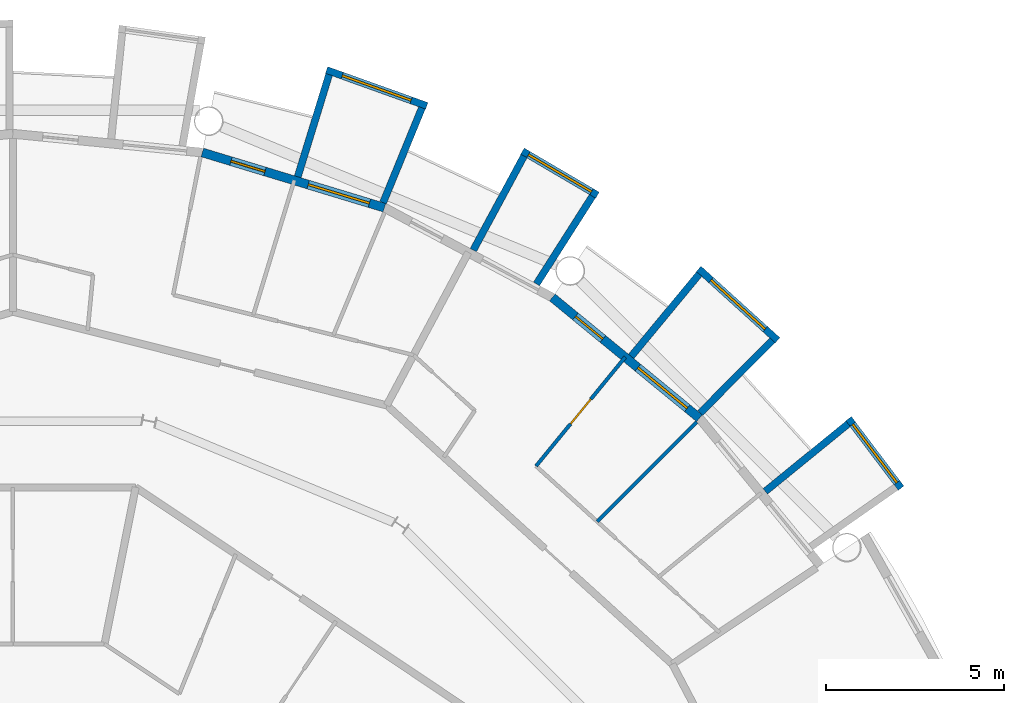
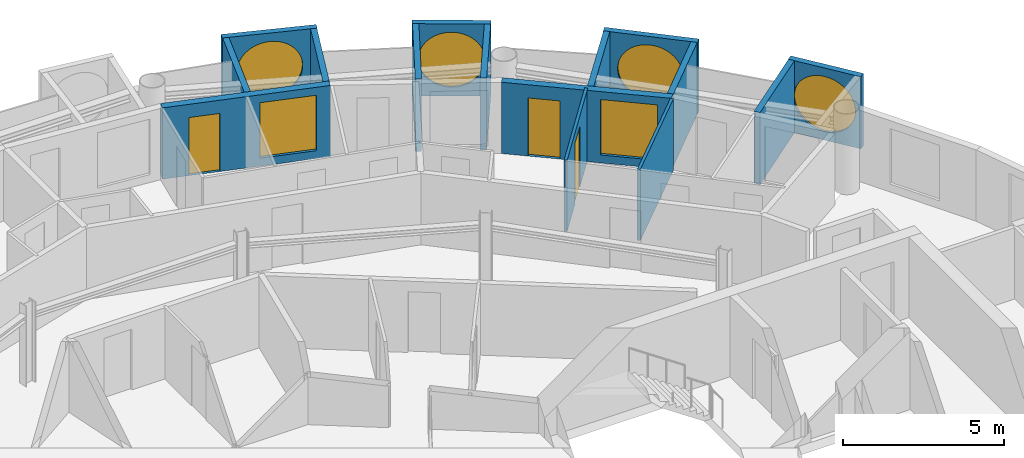
# One storey, part 24 of 27: 15 walls, 6 windows, 3 doors, 9 openings.
"""IFC4 building model written with IfcOpenShell, lengths in metres."""

from ifc_helpers import new_model, si_unit, direction, frame, frame_2d, origin, place, context, subcontext, project, spatial, rectangle, circle, extrude, material, layer, layer_set, type_object, element, fill, save


model = new_model("IFC4")

# Units and contexts
model_context = context("Model", 3, precision=1e-05, world=origin(), true_north=direction((0.0, 1.0)))
body_context = subcontext(model_context, "Body", "Model", "MODEL_VIEW")
ifc_project = project(units=[si_unit("LENGTHUNIT", "METRE"), si_unit("AREAUNIT", "SQUARE_METRE"), si_unit("VOLUMEUNIT", "CUBIC_METRE"), si_unit("PLANEANGLEUNIT", "RADIAN"), si_unit("MASSUNIT", "GRAM", prefix="KILO")], contexts=[model_context])

# Site, building, storey
site_placement = place(None, origin())
site = spatial("IfcSite", under=ifc_project, at=site_placement, CompositionType="ELEMENT")
building_placement = place(site_placement, origin())
building = spatial("IfcBuilding", under=site, at=building_placement, Name="Maasbend Ring Residences", CompositionType="ELEMENT")
storey_placement = place(building_placement, frame((0.0, 0.0, 199.35009765625)))
storey = spatial("IfcBuildingStorey", under=building, at=storey_placement, Name="L57", CompositionType="ELEMENT", Elevation=199.35009765625)

# Wall, opening, window
ifc_material_1 = material(Name="Pale anodised aluminium panel", Category="aluminium")
ifc_layer_1 = layer(ifc_material_1, 0.199951171875)
ifc_layer_set_1 = layer_set([ifc_layer_1], Name="EW-BOX")
wall_type_1 = type_object("IfcWallType", Name="EW-BOX", PredefinedType="SOLIDWALL", material=ifc_layer_set_1)
wall_1_placement = place(storey_placement, frame((24.971923828125, 17.3369140625, -0.030029296875), z_axis=(0.0, 0.0, 1.0), x_axis=(-0.602806268067, 0.797887588059, 0.0)))
wall_1 = element("IfcWall", 1, at=wall_1_placement, inside=storey, type_object=wall_type_1, Name="Box front N01", PredefinedType="SOLIDWALL", context=body_context, shape_type="SweptSolid", body=[
    extrude(rectangle(XDim=2.446533203125, YDim=0.199951171875, at=frame_2d((1.22314453125, 0.0))), origin(), (0.0, 0.0, 1.0), 2.72998046875),
])
opening_1_placement = place(wall_1_placement, frame((0.182861328125, 0.0, 0.330078125)))
opening_1 = element("IfcOpeningElement", 2, at=opening_1_placement, cuts=wall_1, Name="Opening W-RD", PredefinedType="OPENING", context=body_context, shape_type="SweptSolid", body=[
    extrude(circle(Radius=1.0400390625, at=frame_2d((1.0400390625, 1.0400390625))), frame((0.0, 0.10986328125, 0.0), z_axis=(0.0, -1.0, 0.0), x_axis=(1.0, 0.0, 0.0)), (0.0, 0.0, 1.0), 0.219970703125),
])
ifc_material_2 = material(Name="Aluminium and clear glass", Category="aluminium")
window_type_1 = type_object("IfcWindowType", Name="W-RD", PartitioningType="SINGLE_PANEL", PredefinedType="WINDOW", material=ifc_material_2)
window_1_placement = place(opening_1_placement, origin())
window_1 = element("IfcWindow", 3, at=window_1_placement, inside=storey, type_object=window_type_1, Name="Round window N01", OverallHeight=2.080078125, OverallWidth=2.080078125, PartitioningType="SINGLE_PANEL", PredefinedType="WINDOW", context=body_context, shape_type="SweptSolid", body=[
    extrude(circle(Radius=1.0400390625, at=frame_2d((1.0400390625, 1.0400390625))), frame((0.0, 0.030029296875, 0.0), z_axis=(0.0, -1.0, 0.0), x_axis=(1.0, 0.0, 0.0)), (0.0, 0.0, 1.0), 0.06005859375),
])
fill(opening_1, window_1)

# Wall
wall_2_placement = place(storey_placement, frame((21.155029296875, 17.24609375, -0.030029296875), z_axis=(0.0, 0.0, 1.0), x_axis=(0.775179004516, 0.631741648902, 0.0)))
element("IfcWall", 4, at=wall_2_placement, inside=storey, type_object=wall_type_1, Name="Box side wall N01 right", PredefinedType="SOLIDWALL", context=body_context, shape_type="SweptSolid", body=[
    extrude(rectangle(XDim=3.005859375, YDim=0.199951171875, at=frame_2d((1.5029296875, 0.0))), origin(), (0.0, 0.0, 1.0), 2.72998046875),
])

# Wall, opening, window
wall_3_placement = place(storey_placement, frame((21.5, 21.492919921875, -0.030029296875), z_axis=(0.0, 0.0, 1.0), x_axis=(-0.740998365753, 0.671506829416, 0.0)))
wall_3 = element("IfcWall", 5, at=wall_3_placement, inside=storey, type_object=wall_type_1, Name="Box front N03", PredefinedType="SOLIDWALL", context=body_context, shape_type="SweptSolid", body=[
    extrude(rectangle(XDim=2.9931640625, YDim=0.199951171875, at=frame_2d((1.49658203125, 0.0))), origin(), (0.0, 0.0, 1.0), 2.72998046875),
])
opening_2_placement = place(wall_3_placement, frame((0.45654296875, 0.0, 0.330078125)))
opening_2 = element("IfcOpeningElement", 6, at=opening_2_placement, cuts=wall_3, Name="Opening W-RD", PredefinedType="OPENING", context=body_context, shape_type="SweptSolid", body=[
    extrude(circle(Radius=1.0400390625, at=frame_2d((1.0400390625, 1.0400390625))), frame((0.0, 0.10986328125, 0.0), z_axis=(0.0, -1.0, 0.0), x_axis=(1.0, 0.0, 0.0)), (0.0, 0.0, 1.0), 0.219970703125),
])
window_2_placement = place(opening_2_placement, origin())
window_2 = element("IfcWindow", 7, at=window_2_placement, inside=storey, type_object=window_type_1, Name="Round window N03", OverallHeight=2.080078125, OverallWidth=2.080078125, PartitioningType="SINGLE_PANEL", PredefinedType="WINDOW", context=body_context, shape_type="SweptSolid", body=[
    extrude(circle(Radius=1.0400390625, at=frame_2d((1.0400390625, 1.0400390625))), frame((0.0, 0.030029296875, 0.0), z_axis=(0.0, -1.0, 0.0), x_axis=(1.0, 0.0, 0.0)), (0.0, 0.0, 1.0), 0.06005859375),
])
fill(opening_2, window_2)

# Walls
wall_4_placement = place(storey_placement, frame((19.322998046875, 19.449951171875, -0.030029296875), z_axis=(0.0, 0.0, 1.0), x_axis=(0.704476739375, 0.709727076896, 0.0)))
element("IfcWall", 8, at=wall_4_placement, inside=storey, type_object=wall_type_1, Name="Box side wall N03 left", PredefinedType="SOLIDWALL", context=body_context, shape_type="SweptSolid", body=[
    extrude(rectangle(XDim=2.883056640625, YDim=0.199951171875, at=frame_2d((1.44140625, 0.0))), origin(), (0.0, 0.0, 1.0), 2.72998046875),
])
wall_5_placement = place(storey_placement, frame((17.384033203125, 21.041015625, -0.030029296875), z_axis=(0.0, 0.0, 1.0), x_axis=(0.63709551667, 0.770784861449, 0.0)))
element("IfcWall", 9, at=wall_5_placement, inside=storey, type_object=wall_type_1, Name="Box side wall N03 right", PredefinedType="SOLIDWALL", context=body_context, shape_type="SweptSolid", body=[
    extrude(rectangle(XDim=3.005859375, YDim=0.199951171875, at=frame_2d((1.5029296875, 0.0))), origin(), (0.0, 0.0, 1.0), 2.72998046875),
])

# Wall, opening, window
wall_6_placement = place(storey_placement, frame((16.43603515625, 25.573974609375, -0.030029296875), z_axis=(0.0, 0.0, 1.0), x_axis=(-0.862403467503, 0.506221551535, 0.0)))
wall_6 = element("IfcWall", 10, at=wall_6_placement, inside=storey, type_object=wall_type_1, Name="Box front N05", PredefinedType="SOLIDWALL", context=body_context, shape_type="SweptSolid", body=[
    extrude(rectangle(XDim=2.445556640625, YDim=0.199951171875, at=frame_2d((1.22265625, 0.0))), origin(), (0.0, 0.0, 1.0), 2.72998046875),
])
opening_3_placement = place(wall_6_placement, frame((0.182861328125, 0.0, 0.330078125)))
opening_3 = element("IfcOpeningElement", 11, at=opening_3_placement, cuts=wall_6, Name="Opening W-RD", PredefinedType="OPENING", context=body_context, shape_type="SweptSolid", body=[
    extrude(circle(Radius=1.0400390625, at=frame_2d((1.0400390625, 1.0400390625))), frame((0.0, 0.10986328125, 0.0), z_axis=(0.0, -1.0, 0.0), x_axis=(1.0, 0.0, 0.0)), (0.0, 0.0, 1.0), 0.219970703125),
])
window_3_placement = place(opening_3_placement, origin())
window_3 = element("IfcWindow", 12, at=window_3_placement, inside=storey, type_object=window_type_1, Name="Round window N05", OverallHeight=2.080078125, OverallWidth=2.080078125, PartitioningType="SINGLE_PANEL", PredefinedType="WINDOW", context=body_context, shape_type="SweptSolid", body=[
    extrude(circle(Radius=1.0400390625, at=frame_2d((1.0400390625, 1.0400390625))), frame((0.0, 0.030029296875, 0.0), z_axis=(0.0, -1.0, 0.0), x_axis=(1.0, 0.0, 0.0)), (0.0, 0.0, 1.0), 0.06005859375),
])
fill(opening_3, window_3)

# Walls
wall_7_placement = place(storey_placement, frame((14.721923828125, 23.0791015625, -0.030029296875), z_axis=(0.0, 0.0, 1.0), x_axis=(0.537572179146, 0.843217737129, 0.0)))
element("IfcWall", 13, at=wall_7_placement, inside=storey, type_object=wall_type_1, Name="Box side wall N05 left", PredefinedType="SOLIDWALL", context=body_context, shape_type="SweptSolid", body=[
    extrude(rectangle(XDim=2.92431640625, YDim=0.199951171875, at=frame_2d((1.462158203125, 0.0))), origin(), (0.0, 0.0, 1.0), 2.72998046875),
])
wall_8_placement = place(storey_placement, frame((12.945068359375, 24.029052734375, -0.030029296875), z_axis=(0.0, 0.0, 1.0), x_axis=(0.474424310775, 0.88029629861, 0.0)))
element("IfcWall", 14, at=wall_8_placement, inside=storey, type_object=wall_type_1, Name="Box side wall N05 right", PredefinedType="SOLIDWALL", context=body_context, shape_type="SweptSolid", body=[
    extrude(rectangle(XDim=3.005859375, YDim=0.199951171875, at=frame_2d((1.5029296875, 0.0))), origin(), (0.0, 0.0, 1.0), 2.72998046875),
])

# Wall, opening, window
wall_9_placement = place(storey_placement, frame((11.637939453125, 28.083984375, -0.030029296875), z_axis=(0.0, 0.0, 1.0), x_axis=(-0.941461077774, 0.337121697664, 0.0)))
wall_9 = element("IfcWall", 15, at=wall_9_placement, inside=storey, type_object=wall_type_1, Name="Box front N07", PredefinedType="SOLIDWALL", context=body_context, shape_type="SweptSolid", body=[
    extrude(rectangle(XDim=2.9931640625, YDim=0.199951171875, at=frame_2d((1.49658203125, 0.0))), origin(), (0.0, 0.0, 1.0), 2.72998046875),
])
opening_4_placement = place(wall_9_placement, frame((0.45654296875, 0.0, 0.330078125)))
opening_4 = element("IfcOpeningElement", 16, at=opening_4_placement, cuts=wall_9, Name="Opening W-RD", PredefinedType="OPENING", context=body_context, shape_type="SweptSolid", body=[
    extrude(circle(Radius=1.0400390625, at=frame_2d((1.0400390625, 1.0400390625))), frame((0.0, 0.10986328125, 0.0), z_axis=(0.0, -1.0, 0.0), x_axis=(1.0, 0.0, 0.0)), (0.0, 0.0, 1.0), 0.219970703125),
])
window_4_placement = place(opening_4_placement, origin())
window_4 = element("IfcWindow", 17, at=window_4_placement, inside=storey, type_object=window_type_1, Name="Round window N07", OverallHeight=2.080078125, OverallWidth=2.080078125, PartitioningType="SINGLE_PANEL", PredefinedType="WINDOW", context=body_context, shape_type="SweptSolid", body=[
    extrude(circle(Radius=1.0400390625, at=frame_2d((1.0400390625, 1.0400390625))), frame((0.0, 0.030029296875, 0.0), z_axis=(0.0, -1.0, 0.0), x_axis=(1.0, 0.0, 0.0)), (0.0, 0.0, 1.0), 0.06005859375),
])
fill(opening_4, window_4)

# Walls
wall_10_placement = place(storey_placement, frame((10.408935546875, 25.364013671875, -0.030029296875), z_axis=(0.0, 0.0, 1.0), x_axis=(0.379509886562, 0.925187681501, 0.0)))
element("IfcWall", 18, at=wall_10_placement, inside=storey, type_object=wall_type_1, Name="Box side wall N07 left", PredefinedType="SOLIDWALL", context=body_context, shape_type="SweptSolid", body=[
    extrude(rectangle(XDim=2.882568359375, YDim=0.199951171875, at=frame_2d((1.44140625, 0.0))), origin(), (0.0, 0.0, 1.0), 2.72998046875),
])
wall_11_placement = place(storey_placement, frame((8.009033203125, 26.092041015625, -0.030029296875), z_axis=(0.0, 0.0, 1.0), x_axis=(0.293406695073, 0.955987715029, 0.0)))
element("IfcWall", 19, at=wall_11_placement, inside=storey, type_object=wall_type_1, Name="Box side wall N07 right", PredefinedType="SOLIDWALL", context=body_context, shape_type="SweptSolid", body=[
    extrude(rectangle(XDim=3.00634765625, YDim=0.199951171875, at=frame_2d((1.503173828125, 0.0))), origin(), (0.0, 0.0, 1.0), 2.72998046875),
])

# Wall, openings, door, window
ifc_material_3 = material(Name="Aluminium clad insulated panel", Category="aluminium")
ifc_layer_2 = layer(ifc_material_3, 0.25)
ifc_layer_set_2 = layer_set([ifc_layer_2], Name="EW-GL")
wall_type_2 = type_object("IfcWallType", Name="EW-GL", PredefinedType="SOLIDWALL", material=ifc_layer_set_2)
wall_12_placement = place(storey_placement, frame((19.303955078125, 19.303955078125, 0.0), z_axis=(0.0, 0.0, 1.0), x_axis=(-0.773019449054, 0.634382322723, 0.0)))
wall_12 = element("IfcWall", 20, at=wall_12_placement, inside=storey, type_object=wall_type_2, Name="External wall N02", PredefinedType="SOLIDWALL", context=body_context, shape_type="SweptSolid", body=[
    extrude(rectangle(XDim=5.351806640625, YDim=0.25, at=frame_2d((2.67578125, 0.0))), origin(), (0.0, 0.0, 1.0), 2.699951171875),
])
opening_5_placement = place(wall_12_placement, frame((0.441162109375, 0.0, 0.300048828125)))
opening_5 = element("IfcOpeningElement", 21, at=opening_5_placement, cuts=wall_12, Name="Opening W-BX", PredefinedType="OPENING", context=body_context, shape_type="SweptSolid", body=[
    extrude(rectangle(XDim=1.800048828125, YDim=2.10009765625, at=frame_2d((0.89990234375, 1.050048828125))), frame((0.0, 0.135009765625, 0.0), z_axis=(0.0, -1.0, 0.0), x_axis=(1.0, 0.0, 0.0)), (0.0, 0.0, 1.0), 0.27001953125),
])
opening_6_placement = place(wall_12_placement, frame((3.510498046875, 0.0, 0.0)))
opening_6 = element("IfcOpeningElement", 22, at=opening_6_placement, cuts=wall_12, Name="Opening D-LG", PredefinedType="OPENING", context=body_context, shape_type="SweptSolid", body=[
    extrude(rectangle(XDim=1.0, YDim=2.199951171875, at=frame_2d((0.5, 1.10009765625))), frame((0.0, 0.135009765625, 0.0), z_axis=(0.0, -1.0, 0.0), x_axis=(1.0, 0.0, 0.0)), (0.0, 0.0, 1.0), 0.27001953125),
])
ifc_material_4 = material(Name="Aluminium and clear glass", Category="aluminium")
door_type_1 = type_object("IfcDoorType", Name="D-LG", OperationType="SINGLE_SWING_LEFT", PredefinedType="DOOR", material=ifc_material_4)
door_1_placement = place(opening_6_placement, origin())
door_1 = element("IfcDoor", 23, at=door_1_placement, inside=storey, type_object=door_type_1, Name="Loggia door N04", OperationType="SINGLE_SWING_LEFT", OverallHeight=2.199951171875, OverallWidth=1.0, PredefinedType="DOOR", context=body_context, shape_type="SweptSolid", body=[
    extrude(rectangle(XDim=1.0, YDim=2.199951171875, at=frame_2d((0.5, 1.10009765625))), frame((0.0, 0.02490234375, 0.0), z_axis=(0.0, -1.0, 0.0), x_axis=(1.0, 0.0, 0.0)), (0.0, 0.0, 1.0), 0.050048828125),
])
fill(opening_6, door_1)
ifc_material_5 = material(Name="Aluminium and clear glass", Category="aluminium")
window_type_2 = type_object("IfcWindowType", Name="W-BX", PartitioningType="DOUBLE_PANEL_VERTICAL", PredefinedType="WINDOW", material=ifc_material_5)
window_5_placement = place(opening_5_placement, origin())
window_5 = element("IfcWindow", 24, at=window_5_placement, inside=storey, type_object=window_type_2, Name="Window N03 room to box", OverallHeight=2.10009765625, OverallWidth=1.800048828125, PartitioningType="SINGLE_PANEL", PredefinedType="WINDOW", context=body_context, shape_type="SweptSolid", body=[
    extrude(rectangle(XDim=1.800048828125, YDim=2.10009765625, at=frame_2d((0.89990234375, 1.050048828125))), frame((0.0, 0.030029296875, 0.0), z_axis=(0.0, -1.0, 0.0), x_axis=(1.0, 0.0, 0.0)), (0.0, 0.0, 1.0), 0.06005859375),
])
fill(opening_5, window_5)

wall_13_placement = place(storey_placement, frame((10.447021484375, 25.221923828125, 0.0), z_axis=(0.0, 0.0, 1.0), x_axis=(-0.956965678721, 0.290201119486, 0.0)))
wall_13 = element("IfcWall", 25, at=wall_13_placement, inside=storey, type_object=wall_type_2, Name="External wall N04", PredefinedType="SOLIDWALL", context=body_context, shape_type="SweptSolid", body=[
    extrude(rectangle(XDim=5.351318359375, YDim=0.25, at=frame_2d((2.67578125, 0.0))), origin(), (0.0, 0.0, 1.0), 2.699951171875),
])
opening_7_placement = place(wall_13_placement, frame((0.441162109375, 0.0, 0.300048828125)))
opening_7 = element("IfcOpeningElement", 26, at=opening_7_placement, cuts=wall_13, Name="Opening W-BX", PredefinedType="OPENING", context=body_context, shape_type="SweptSolid", body=[
    extrude(rectangle(XDim=1.800048828125, YDim=2.10009765625, at=frame_2d((0.89990234375, 1.050048828125))), frame((0.0, 0.135009765625, 0.0), z_axis=(0.0, -1.0, 0.0), x_axis=(1.0, 0.0, 0.0)), (0.0, 0.0, 1.0), 0.27001953125),
])
opening_8_placement = place(wall_13_placement, frame((3.510498046875, 0.0, 0.0)))
opening_8 = element("IfcOpeningElement", 27, at=opening_8_placement, cuts=wall_13, Name="Opening D-LG", PredefinedType="OPENING", context=body_context, shape_type="SweptSolid", body=[
    extrude(rectangle(XDim=1.0, YDim=2.199951171875, at=frame_2d((0.5, 1.10009765625))), frame((0.0, 0.135009765625, 0.0), z_axis=(0.0, -1.0, 0.0), x_axis=(1.0, 0.0, 0.0)), (0.0, 0.0, 1.0), 0.27001953125),
])
door_2_placement = place(opening_8_placement, origin())
door_2 = element("IfcDoor", 28, at=door_2_placement, inside=storey, type_object=door_type_1, Name="Loggia door N08", OperationType="SINGLE_SWING_LEFT", OverallHeight=2.199951171875, OverallWidth=1.0, PredefinedType="DOOR", context=body_context, shape_type="SweptSolid", body=[
    extrude(rectangle(XDim=1.0, YDim=2.199951171875, at=frame_2d((0.5, 1.10009765625))), frame((0.0, 0.02490234375, 0.0), z_axis=(0.0, -1.0, 0.0), x_axis=(1.0, 0.0, 0.0)), (0.0, 0.0, 1.0), 0.050048828125),
])
fill(opening_8, door_2)
window_6_placement = place(opening_7_placement, origin())
window_6 = element("IfcWindow", 29, at=window_6_placement, inside=storey, type_object=window_type_2, Name="Window N07 room to box", OverallHeight=2.10009765625, OverallWidth=1.800048828125, PartitioningType="SINGLE_PANEL", PredefinedType="WINDOW", context=body_context, shape_type="SweptSolid", body=[
    extrude(rectangle(XDim=1.800048828125, YDim=2.10009765625, at=frame_2d((0.89990234375, 1.050048828125))), frame((0.0, 0.030029296875, 0.0), z_axis=(0.0, -1.0, 0.0), x_axis=(1.0, 0.0, 0.0)), (0.0, 0.0, 1.0), 0.06005859375),
])
fill(opening_7, window_6)

# Wall, opening, door
ifc_material_6 = material(Name="Gypsum board on steel studs", Category="steel")
ifc_layer_3 = layer(ifc_material_6, 0.10009765625)
ifc_layer_set_3 = layer_set([ifc_layer_3], Name="PARTITION 100 GYPSUM")
wall_type_3 = type_object("IfcWallType", Name="PARTITION 100 GYPSUM", PredefinedType="PARTITIONING", material=ifc_layer_set_3)
wall_14_placement = place(storey_placement, frame((14.708984375, 17.9580078125, 0.0), z_axis=(0.0, 0.0, 1.0), x_axis=(0.633590098448, 0.773668913133, 0.0)))
wall_14 = element("IfcWall", 30, at=wall_14_placement, inside=storey, type_object=wall_type_3, Name="U-L57-w083", PredefinedType="PARTITIONING", context=body_context, shape_type="SweptSolid", body=[
    extrude(rectangle(XDim=3.961669921875, YDim=0.10009765625, at=frame_2d((1.98095703125, 0.0))), origin(), (0.0, 0.0, 1.0), 2.699951171875),
])
opening_9_placement = place(wall_14_placement, frame((1.531005859375, 0.0, 0.0)))
opening_9 = element("IfcOpeningElement", 31, at=opening_9_placement, cuts=wall_14, Name="Opening D-5703", PredefinedType="OPENING", context=body_context, shape_type="SweptSolid", body=[
    extrude(rectangle(XDim=0.89990234375, YDim=2.300048828125, at=frame_2d((0.449951171875, 1.14990234375))), frame((0.0, 0.06005859375, 0.0), z_axis=(0.0, -1.0, 0.0), x_axis=(1.0, 0.0, 0.0)), (0.0, 0.0, 1.0), 0.1201171875),
])
ifc_material_7 = material(Name="Timber, painted", Category="wood")
door_type_2 = type_object("IfcDoorType", Name="INTERNAL DOOR 900 X 2300", OperationType="NOTDEFINED", PredefinedType="DOOR", material=ifc_material_7)
door_3_placement = place(opening_9_placement, origin())
door_3 = element("IfcDoor", 32, at=door_3_placement, inside=storey, type_object=door_type_2, Name="D-5703", OperationType="SINGLE_SWING_RIGHT", OverallHeight=2.300048828125, OverallWidth=0.89990234375, PredefinedType="DOOR", context=body_context, shape_type="SweptSolid", body=[
    extrude(rectangle(XDim=0.89990234375, YDim=2.300048828125, at=frame_2d((0.449951171875, 1.14990234375))), frame((0.0, 0.02490234375, 0.0), z_axis=(0.0, -1.0, 0.0), x_axis=(1.0, 0.0, 0.0)), (0.0, 0.0, 1.0), 0.050048828125),
])
fill(opening_9, door_3)

# Wall
wall_15_placement = place(storey_placement, frame((16.429931640625, 16.39794921875, 0.0), z_axis=(0.0, 0.0, 1.0), x_axis=(0.707722727509, 0.706490297858, 0.0)))
element("IfcWall", 33, at=wall_15_placement, inside=storey, type_object=wall_type_3, Name="U-L57-w085", PredefinedType="PARTITIONING", context=body_context, shape_type="SweptSolid", body=[
    extrude(rectangle(XDim=3.9619140625, YDim=0.10009765625, at=frame_2d((1.98095703125, 0.0))), origin(), (0.0, 0.0, 1.0), 2.699951171875),
])

save(model, "model.ifc")
